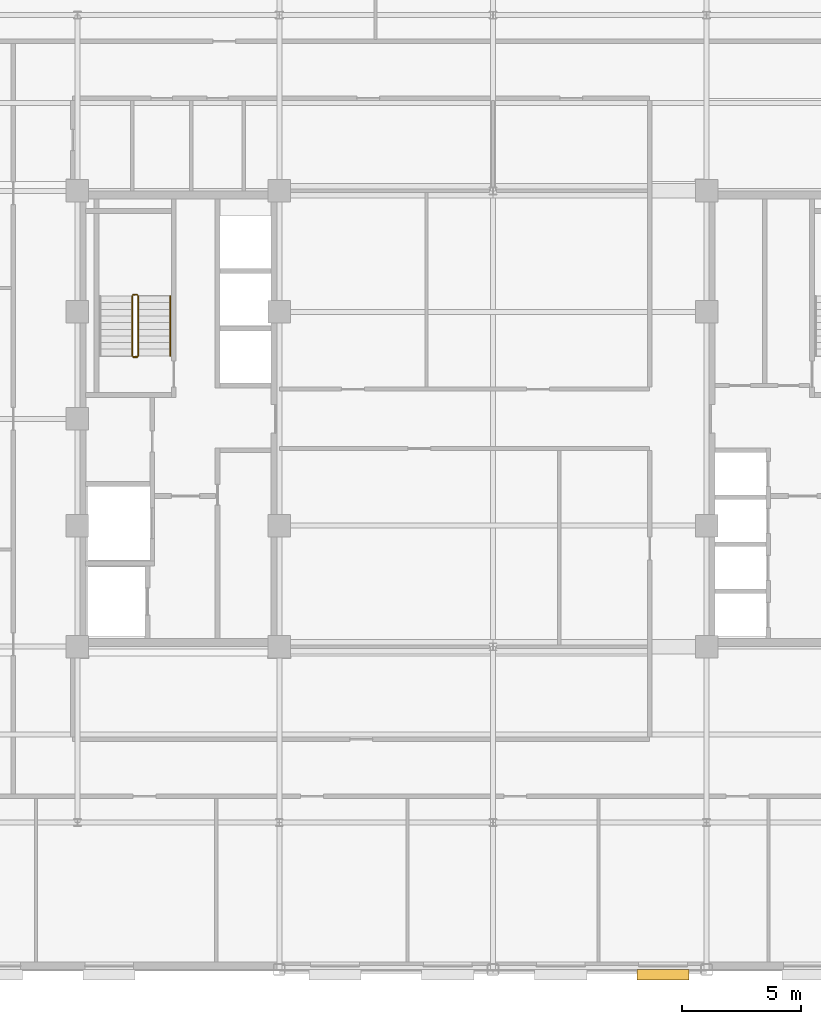
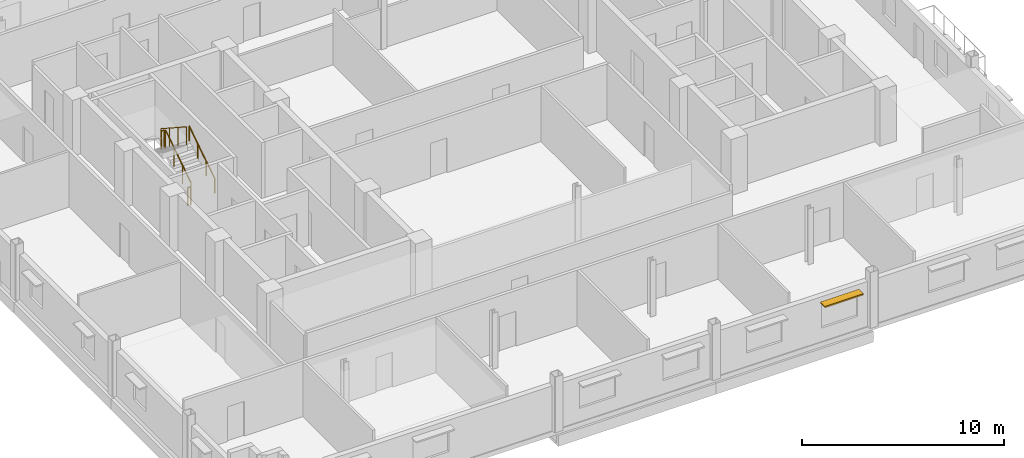
# One storey, part 13 of 15: 5 railings, 1 shading device.
"""IFC4 building model written with IfcOpenShell, lengths in metres."""

from ifc_helpers import new_model, si_unit, direction, frame, origin, origin_2d, place, context, subcontext, project, spatial, rectangle, circle, extrude, source, transform, mapped, material, type_object, type_shapes, element, save


model = new_model("IFC4")

# Units and contexts
model_context = context("Model", 3, precision=1e-05, world=origin(), true_north=direction((0.0, 1.0)))
body_context = subcontext(model_context, "Body", "Model", "MODEL_VIEW")
ifc_project = project(units=[si_unit("LENGTHUNIT", "METRE"), si_unit("AREAUNIT", "SQUARE_METRE"), si_unit("VOLUMEUNIT", "CUBIC_METRE"), si_unit("PLANEANGLEUNIT", "RADIAN"), si_unit("MASSUNIT", "GRAM", prefix="KILO")], contexts=[model_context])

# Site, building, storey
site_placement = place(None, origin())
site = spatial("IfcSite", under=ifc_project, at=site_placement, CompositionType="ELEMENT")
building_placement = place(site_placement, origin())
building = spatial("IfcBuilding", under=site, at=building_placement, Name="Nuvemarco Arch Tower", CompositionType="ELEMENT")
storey_placement = place(building_placement, frame((0.0, 0.0, 190.89990234375)))
storey = spatial("IfcBuildingStorey", under=building, at=storey_placement, Name="L50", CompositionType="ELEMENT", Elevation=190.89990234375)

# Railings
ifc_material_1 = material(Name="Brushed stainless steel handrail", Category="steel")
railing_type_1 = type_object("IfcRailingType", Name="RL-HANDRAIL-900", PredefinedType="HANDRAIL", material=ifc_material_1)
railing_1_placement = place(storey_placement, frame((-13.590087890625, 2.64990234375, 0.1826171875)))
element("IfcRailing", 1, at=railing_1_placement, inside=storey, type_object=railing_type_1, Name="L50 ST-1 stair handrail 1", PredefinedType="HANDRAIL", context=body_context, shape_type="SweptSolid", body=[
    extrude(circle(Radius=0.02392578125, at=origin_2d()), frame((0.0, 0.0, 0.8759765625), z_axis=(0.0, 0.837749427056, 0.546054848405), x_axis=(-1.0, 0.0, 0.0)), (0.0, 0.0, 1.0), 3.008056640625),
    extrude(circle(Radius=0.02099609375, at=origin_2d()), origin(), (0.0, 0.0, 1.0), 0.851806640625),
    extrude(circle(Radius=0.02099609375, at=origin_2d()), frame((0.0, 0.840087890625, 0.547607421875)), (0.0, 0.0, 1.0), 0.851806640625),
    extrude(circle(Radius=0.02099609375, at=origin_2d()), frame((0.0, 1.679931640625, 1.094970703125)), (0.0, 0.0, 1.0), 0.851806640625),
    extrude(circle(Radius=0.02099609375, at=origin_2d()), frame((0.0, 2.52001953125, 1.642578125)), (0.0, 0.0, 1.0), 0.851806640625),
])
ifc_material_2 = material(Name="Painted balustrade steel S355", Category="steel")
railing_type_2 = type_object("IfcRailingType", Name="RL-STAIR-GUARD", PredefinedType="GUARDRAIL", material=ifc_material_2)
railing_2_placement = place(storey_placement, frame((-14.93994140625, 2.64990234375, 0.1826171875)))
element("IfcRailing", 2, at=railing_2_placement, inside=storey, type_object=railing_type_2, Name="L50 ST-1 stair guard 1", PredefinedType="GUARDRAIL", context=body_context, shape_type="SweptSolid", body=[
    extrude(circle(Radius=0.02392578125, at=origin_2d()), frame((0.0, 0.0, 1.09619140625), z_axis=(0.0, 0.837749427056, 0.546054848405), x_axis=(-1.0, 0.0, 0.0)), (0.0, 0.0, 1.0), 3.008056640625),
    extrude(circle(Radius=0.02099609375, at=origin_2d()), origin(), (0.0, 0.0, 1.0), 1.072021484375),
    extrude(circle(Radius=0.02099609375, at=origin_2d()), frame((0.0, 0.840087890625, 0.547607421875)), (0.0, 0.0, 1.0), 1.072021484375),
    extrude(circle(Radius=0.02099609375, at=origin_2d()), frame((0.0, 1.679931640625, 1.094970703125)), (0.0, 0.0, 1.0), 1.072021484375),
    extrude(circle(Radius=0.02099609375, at=origin_2d()), frame((0.0, 2.52001953125, 1.642578125)), (0.0, 0.0, 1.0), 1.072021484375),
])
railing_3_placement = place(storey_placement, frame((-14.989990234375, 5.219970703125, 1.8251953125)))
element("IfcRailing", 3, at=railing_3_placement, inside=storey, type_object=railing_type_2, Name="L50 ST-1 stair guard 2", PredefinedType="GUARDRAIL", context=body_context, shape_type="SweptSolid", body=[
    extrude(circle(Radius=0.02392578125, at=origin_2d()), frame((0.0, 0.0, 1.09619140625), z_axis=(-1.0, 0.0, 0.0), x_axis=(0.0, -1.0, 0.0)), (0.0, 0.0, 1.0), 0.159912109375),
    extrude(circle(Radius=0.02099609375, at=origin_2d()), origin(), (0.0, 0.0, 1.0), 1.072021484375),
    extrude(circle(Radius=0.02099609375, at=origin_2d()), frame((-0.159912109375, 0.0, 0.0)), (0.0, 0.0, 1.0), 1.072021484375),
])
railing_4_placement = place(storey_placement, frame((-15.199951171875, 5.169921875, 2.007568359375)))
element("IfcRailing", 4, at=railing_4_placement, inside=storey, type_object=railing_type_2, Name="L50 ST-1 stair guard 3", PredefinedType="GUARDRAIL", context=body_context, shape_type="SweptSolid", body=[
    extrude(circle(Radius=0.02392578125, at=origin_2d()), frame((0.0, 0.0, 1.09619140625), z_axis=(0.0, -0.837749427056, 0.546054848405), x_axis=(1.0, 0.0, 0.0)), (0.0, 0.0, 1.0), 3.008056640625),
    extrude(circle(Radius=0.02099609375, at=origin_2d()), origin(), (0.0, 0.0, 1.0), 1.072021484375),
    extrude(circle(Radius=0.02099609375, at=origin_2d()), frame((0.0, -0.840087890625, 0.547607421875)), (0.0, 0.0, 1.0), 1.072021484375),
    extrude(circle(Radius=0.02099609375, at=origin_2d()), frame((0.0, -1.679931640625, 1.094970703125)), (0.0, 0.0, 1.0), 1.072021484375),
    extrude(circle(Radius=0.02099609375, at=origin_2d()), frame((0.0, -2.52001953125, 1.642578125)), (0.0, 0.0, 1.0), 1.072021484375),
])
railing_5_placement = place(storey_placement, frame((-14.989990234375, 2.60009765625, 0.0)))
element("IfcRailing", 5, at=railing_5_placement, inside=storey, type_object=railing_type_2, Name="L50 ST-1 stair guard 4", PredefinedType="GUARDRAIL", context=body_context, shape_type="SweptSolid", body=[
    extrude(circle(Radius=0.02392578125, at=origin_2d()), frame((0.0, 0.0, 1.09619140625), z_axis=(-1.0, 0.0, 0.0), x_axis=(0.0, -1.0, 0.0)), (0.0, 0.0, 1.0), 0.159912109375),
    extrude(circle(Radius=0.02099609375, at=origin_2d()), origin(), (0.0, 0.0, 1.0), 1.072021484375),
    extrude(circle(Radius=0.02099609375, at=origin_2d()), frame((-0.159912109375, 0.0, 0.0)), (0.0, 0.0, 1.0), 1.072021484375),
])

# Shading device
ifc_material_3 = material(Name="Anodised aluminium 6063-T6", Category="aluminium")
shading_device_type = type_object("IfcShadingDeviceType", Name="SHD-BRISE-SOLEIL", PredefinedType="USERDEFINED", material=ifc_material_3)
shared_shape = source(origin(), body_context, "Body", "SweptSolid", [
    extrude(rectangle(XDim=2.199951171875, YDim=0.449951171875, at=origin_2d()), origin(), (0.0, 0.0, 1.0), 0.080078125),
])
type_shapes(shading_device_type, [shared_shape])
shading_device_placement = place(storey_placement, frame((7.1611328125, -23.4150390625, 2.324951171875), z_axis=(0.0, 0.0, 1.0), x_axis=(1.0, 0.0, 0.0)))
element("IfcShadingDevice", 6, at=shading_device_placement, inside=storey, type_object=shading_device_type, Name="L50 horizontal brise-soleil sunshade", ObjectType="SUNSHADE", PredefinedType="USERDEFINED", context=body_context, shape_type="MappedRepresentation", body=[
    mapped(shared_shape, transform((0.0, 0.0, 0.0), scale=1.0)),
])

save(model, "model.ifc")
